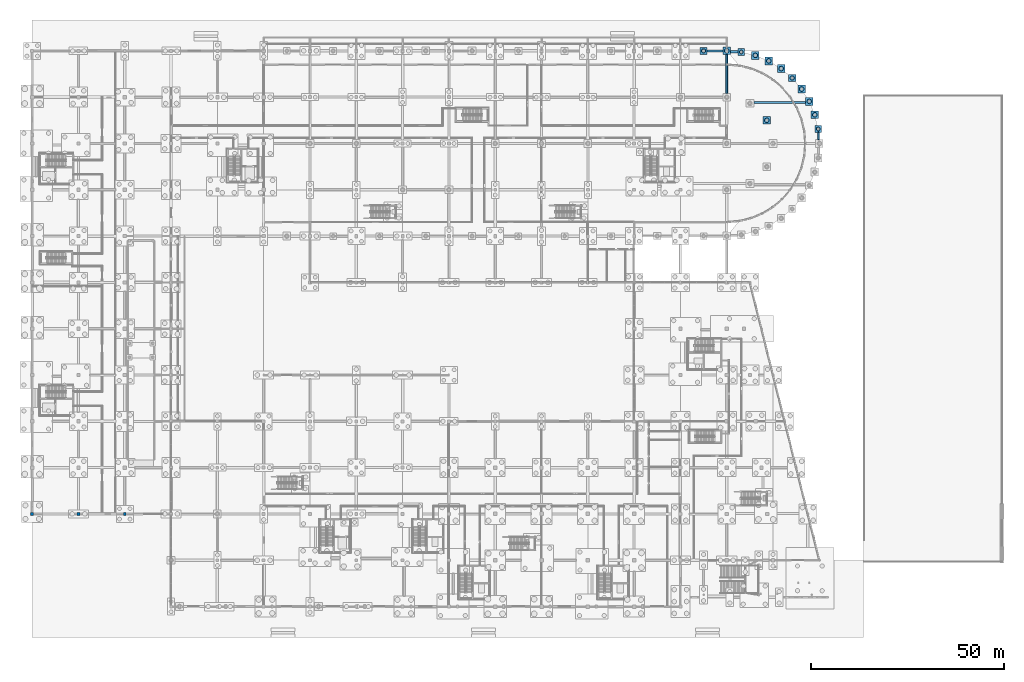
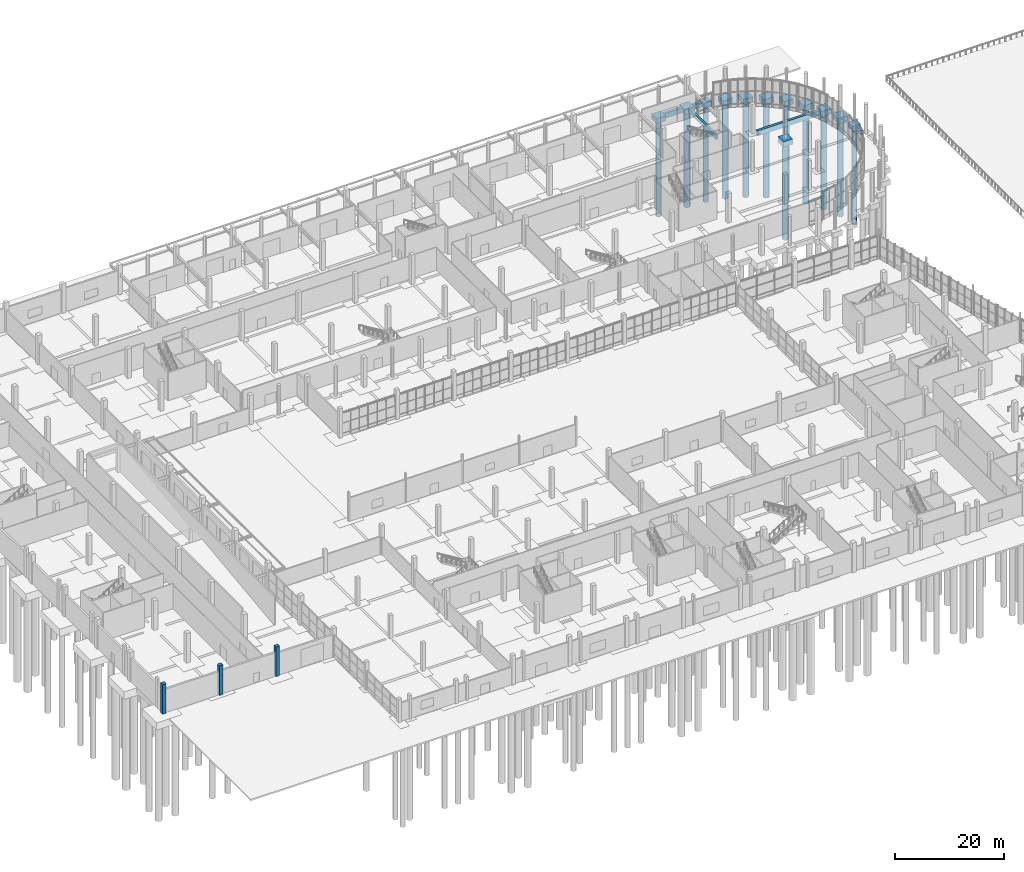
# One storey, part 14 of 117: 17 footings, 12 piles, 3 columns.
"""IFC4 building model written with IfcOpenShell, lengths in metres."""

from ifc_helpers import new_model, si_unit, direction, frame, origin, origin_2d, place, context, subcontext, project, spatial, rectangle, circle, extrude, material, material_profile, profile_set, type_object, element, save


model = new_model("IFC4")

# Units and contexts
model_context = context("Model", 3, precision=1e-05, world=origin(), true_north=direction((0.0, 1.0)))
body_context = subcontext(model_context, "Body", "Model", "MODEL_VIEW")
ifc_project = project(units=[si_unit("LENGTHUNIT", "METRE"), si_unit("AREAUNIT", "SQUARE_METRE"), si_unit("VOLUMEUNIT", "CUBIC_METRE"), si_unit("PLANEANGLEUNIT", "RADIAN"), si_unit("MASSUNIT", "GRAM", prefix="KILO")], contexts=[model_context])

# Site, building, storey
site_placement = place(None, origin())
site = spatial("IfcSite", under=ifc_project, at=site_placement, CompositionType="ELEMENT")
building_placement = place(site_placement, origin())
building = spatial("IfcBuilding", under=site, at=building_placement, Name="Kamomehara Wholesale Market", CompositionType="ELEMENT")
storey_placement = place(building_placement, origin())
storey = spatial("IfcBuildingStorey", under=building, at=storey_placement, Name="L00", CompositionType="ELEMENT", Elevation=0.0)

# Footings
ifc_material_1 = material(Name="Concrete Fc30 (C30/37)", Category="concrete")
footing_type_1 = type_object("IfcFootingType", Name="CAP-1P-1700", PredefinedType="PILE_CAP", material=ifc_material_1)
for number, where, z_axis, x_axis, name in (
    (1, (183.75390625, 155.705078125, -1.10009765625), (0.0, 0.0, 1.0), (1.0, 0.0, 0.0), "Pile cap PC-01"),
    (2, (203.705078125, 135.75390625, -1.10009765625), (0.0, 0.0, 1.0), (1.0, 0.0, 0.0), "Pile cap PC-01"),
):
    element("IfcFooting", number, at=place(storey_placement, frame(where, z_axis=z_axis, x_axis=x_axis)), inside=storey, type_object=footing_type_1, Name=name, PredefinedType="PILE_CAP", context=body_context, shape_type="SweptSolid", body=[
        extrude(rectangle(XDim=1.699951171875, YDim=1.699951171875, at=origin_2d()), origin(), (0.0, 0.0, 1.0), 1.10009765625),
    ])
ifc_material_2 = material(Name="Concrete Fc30 (C30/37)", Category="concrete")
footing_type_2 = type_object("IfcFootingType", Name="CAP-1P-1850", PredefinedType="PILE_CAP", material=ifc_material_2)
for number, where, z_axis, x_axis, name in (
    (3, (174.0, 156.0, -1.14990234375), (0.0, 0.0, 1.0), (1.0, 0.0, 0.0), "Pile cap PC-02"),
    (4, (196.970947265625, 148.970947265625, -1.14990234375), (0.0, 0.0, 1.0), (1.0, 0.0, 0.0), "Pile cap PC-02"),
):
    element("IfcFooting", number, at=place(storey_placement, frame(where, z_axis=z_axis, x_axis=x_axis)), inside=storey, type_object=footing_type_2, Name=name, PredefinedType="PILE_CAP", context=body_context, shape_type="SweptSolid", body=[
        extrude(rectangle(XDim=1.85009765625, YDim=1.85009765625, at=origin_2d()), origin(), (0.0, 0.0, 1.0), 1.14990234375),
    ])
ifc_material_3 = material(Name="Concrete Fc30 (C30/37)", Category="concrete")
footing_type_3 = type_object("IfcFootingType", Name="CAP-1P-2000", PredefinedType="PILE_CAP", material=ifc_material_3)
for number, where, z_axis, x_axis, name in (
    (5, (180.0, 156.0, -1.2001953125), (0.0, 0.0, 1.0), (1.0, 0.0, 0.0), "Pile cap PC-03"),
    (6, (187.416015625, 154.824951171875, -1.2001953125), (0.0, 0.0, 1.0), (1.0, 0.0, 0.0), "Pile cap PC-03"),
    (7, (190.39208984375, 138.0, -1.2001953125), (0.0, 0.0, 1.0), (1.0, 0.0, 0.0), "Pile cap PC-03"),
    (8, (190.89599609375, 153.384033203125, -1.2001953125), (0.0, 0.0, 1.0), (1.0, 0.0, 0.0), "Pile cap PC-03"),
    (9, (194.10693359375, 151.416015625, -1.2001953125), (0.0, 0.0, 1.0), (1.0, 0.0, 0.0), "Pile cap PC-03"),
    (10, (199.416015625, 146.10693359375, -1.2001953125), (0.0, 0.0, 1.0), (1.0, 0.0, 0.0), "Pile cap PC-03"),
    (11, (201.384033203125, 142.89599609375, -1.2001953125), (0.0, 0.0, 1.0), (1.0, 0.0, 0.0), "Pile cap PC-03"),
    (12, (202.824951171875, 139.416015625, -1.2001953125), (0.0, 0.0, 1.0), (1.0, 0.0, 0.0), "Pile cap PC-03"),
):
    element("IfcFooting", number, at=place(storey_placement, frame(where, z_axis=z_axis, x_axis=x_axis)), inside=storey, type_object=footing_type_3, Name=name, PredefinedType="PILE_CAP", context=body_context, shape_type="SweptSolid", body=[
        extrude(rectangle(XDim=2.0, YDim=2.0, at=origin_2d()), origin(), (0.0, 0.0, 1.0), 1.199951171875),
    ])
ifc_material_4 = material(Name="Concrete Fc30 (C30/37)", Category="concrete")
ifc_material_profile_1 = material_profile(ifc_material_4, rectangle(XDim=0.449951171875, YDim=0.89990234375, at=origin_2d()), Name="RC-FTB-450x900")
ifc_profile_set_1 = profile_set([ifc_material_profile_1], Name="Concrete Fc30 (C30/37)")
footing_type_4 = type_object("IfcFootingType", Name="FTB-450x900", PredefinedType="FOOTING_BEAM", material=ifc_profile_set_1)
footing_1_placement = place(storey_placement, frame((180.0, 145.001953125, -0.449951171875), z_axis=(0.0, 1.0, 0.0), x_axis=(-1.0, 0.0, 0.0)))
element("IfcFooting", 13, at=footing_1_placement, inside=storey, type_object=footing_type_4, Name="Foundation tie beam 343", PredefinedType="FOOTING_BEAM", context=body_context, shape_type="SweptSolid", body=[
    extrude(rectangle(XDim=0.449951171875, YDim=0.89990234375, at=origin_2d()), origin(), (0.0, 0.0, 1.0), 9.99609375),
])
ifc_material_5 = material(Name="Concrete Fc30 (C30/37)", Category="concrete")
ifc_material_profile_2 = material_profile(ifc_material_5, rectangle(XDim=0.5, YDim=1.0, at=origin_2d()), Name="RC-FTB-500x1000")
ifc_profile_set_2 = profile_set([ifc_material_profile_2], Name="Concrete Fc30 (C30/37)")
footing_type_5 = type_object("IfcFootingType", Name="FTB-500x1000", PredefinedType="FOOTING_BEAM", material=ifc_profile_set_2)
footing_2_placement = place(storey_placement, frame((203.778076171875, 133.001953125, -0.5), z_axis=(0.0, 1.0, 0.0), x_axis=(-1.0, 0.0, 0.0)))
element("IfcFooting", 14, at=footing_2_placement, inside=storey, type_object=footing_type_5, Name="Foundation tie beam 348", PredefinedType="FOOTING_BEAM", context=body_context, shape_type="SweptSolid", body=[
    extrude(rectangle(XDim=0.5, YDim=1.0, at=origin_2d()), origin(), (0.0, 0.0, 1.0), 1.900146484375),
])
ifc_material_6 = material(Name="Concrete Fc30 (C30/37)", Category="concrete")
ifc_material_profile_3 = material_profile(ifc_material_6, rectangle(XDim=0.550048828125, YDim=1.10009765625, at=origin_2d()), Name="RC-FTB-550x1100")
ifc_profile_set_3 = profile_set([ifc_material_profile_3], Name="Concrete Fc30 (C30/37)")
footing_type_6 = type_object("IfcFootingType", Name="FTB-550x1100", PredefinedType="FOOTING_BEAM", material=ifc_profile_set_3)
footing_3_placement = place(storey_placement, frame((174.927001953125, 156.0, -0.550048828125), z_axis=(1.0, 0.0, 0.0), x_axis=(0.0, 1.0, 0.0)))
element("IfcFooting", 15, at=footing_3_placement, inside=storey, type_object=footing_type_6, Name="Foundation tie beam 185", PredefinedType="FOOTING_BEAM", context=body_context, shape_type="SweptSolid", body=[
    extrude(rectangle(XDim=0.550048828125, YDim=1.10009765625, at=origin_2d()), origin(), (0.0, 0.0, 1.0), 4.071044921875),
])
footing_4_placement = place(storey_placement, frame((181.001953125, 155.778076171875, -0.550048828125), z_axis=(1.0, 0.0, 0.0), x_axis=(0.0, 1.0, 0.0)))
element("IfcFooting", 16, at=footing_4_placement, inside=storey, type_object=footing_type_6, Name="Foundation tie beam 193", PredefinedType="FOOTING_BEAM", context=body_context, shape_type="SweptSolid", body=[
    extrude(rectangle(XDim=0.550048828125, YDim=1.10009765625, at=origin_2d()), origin(), (0.0, 0.0, 1.0), 1.900146484375),
])
footing_5_placement = place(storey_placement, frame((187.001953125, 142.64404296875, -0.550048828125), z_axis=(1.0, 0.0, 0.0), x_axis=(0.0, 1.0, 0.0)))
element("IfcFooting", 17, at=footing_5_placement, inside=storey, type_object=footing_type_6, Name="Foundation tie beam 197", PredefinedType="FOOTING_BEAM", context=body_context, shape_type="SweptSolid", body=[
    extrude(rectangle(XDim=0.550048828125, YDim=1.10009765625, at=origin_2d()), origin(), (0.0, 0.0, 1.0), 13.380126953125),
])

# Piles
ifc_material_7 = material(Name="Concrete Fc30 (C30/37)", Category="concrete")
ifc_material_profile_4 = material_profile(ifc_material_7, circle(Radius=0.5, at=origin_2d()), Name="RC-PILE-D1000")
ifc_profile_set_4 = profile_set([ifc_material_profile_4], Name="Concrete Fc30 (C30/37)")
pile_type_1 = type_object("IfcPileType", Name="PILE-D1000", PredefinedType="BORED", material=ifc_profile_set_4)
for number, where, z_axis, x_axis, name in (
    (18, (183.75390625, 155.705078125, -1.0), (0.0, 0.0, -1.0), (1.0, 0.0, 0.0), "Bored pile 219.625"),
    (19, (203.705078125, 135.75390625, -1.0), (0.0, 0.0, -1.0), (1.0, 0.0, 0.0), "Bored pile 255.698"),
):
    element("IfcPile", number, at=place(storey_placement, frame(where, z_axis=z_axis, x_axis=x_axis)), inside=storey, type_object=pile_type_1, Name=name, PredefinedType="BORED", context=body_context, shape_type="SweptSolid", body=[
        extrude(circle(Radius=0.5, at=origin_2d()), origin(), (0.0, 0.0, 1.0), 21.5),
    ])
ifc_material_8 = material(Name="Concrete Fc30 (C30/37)", Category="concrete")
ifc_material_profile_5 = material_profile(ifc_material_8, circle(Radius=0.550048828125, at=origin_2d()), Name="RC-PILE-D1100")
ifc_profile_set_5 = profile_set([ifc_material_profile_5], Name="Concrete Fc30 (C30/37)")
pile_type_2 = type_object("IfcPileType", Name="PILE-D1100", PredefinedType="BORED", material=ifc_profile_set_5)
for number, where, z_axis, x_axis, name in (
    (20, (174.0, 156.0, -1.050048828125), (0.0, 0.0, -1.0), (1.0, 0.0, 0.0), "Bored pile 205.592"),
    (21, (196.970947265625, 148.970947265625, -1.050048828125), (0.0, 0.0, -1.0), (1.0, 0.0, 0.0), "Bored pile 244.678"),
):
    element("IfcPile", number, at=place(storey_placement, frame(where, z_axis=z_axis, x_axis=x_axis)), inside=storey, type_object=pile_type_2, Name=name, PredefinedType="BORED", context=body_context, shape_type="SweptSolid", body=[
        extrude(circle(Radius=0.550048828125, at=origin_2d()), origin(), (0.0, 0.0, 1.0), 21.449951171875),
    ])
ifc_material_9 = material(Name="Concrete Fc30 (C30/37)", Category="concrete")
ifc_material_profile_6 = material_profile(ifc_material_9, circle(Radius=0.60009765625, at=origin_2d()), Name="RC-PILE-D1200")
ifc_profile_set_6 = profile_set([ifc_material_profile_6], Name="Concrete Fc30 (C30/37)")
pile_type_3 = type_object("IfcPileType", Name="PILE-D1200", PredefinedType="BORED", material=ifc_profile_set_6)
for number, where, z_axis, x_axis, name in (
    (22, (180.0, 156.0, -1.10009765625), (0.0, 0.0, -1.0), (1.0, 0.0, 0.0), "Bored pile 217.623"),
    (23, (187.416015625, 154.824951171875, -1.10009765625), (0.0, 0.0, -1.0), (1.0, 0.0, 0.0), "Bored pile 227.643"),
    (24, (190.39208984375, 138.0, -1.10009765625), (0.0, 0.0, -1.0), (1.0, 0.0, 0.0), "Bored pile 234.661"),
    (25, (190.89599609375, 153.384033203125, -1.10009765625), (0.0, 0.0, -1.0), (1.0, 0.0, 0.0), "Bored pile 236.663"),
    (26, (194.10693359375, 151.416015625, -1.10009765625), (0.0, 0.0, -1.0), (1.0, 0.0, 0.0), "Bored pile 241.672"),
    (27, (199.416015625, 146.10693359375, -1.10009765625), (0.0, 0.0, -1.0), (1.0, 0.0, 0.0), "Bored pile 248.688"),
    (28, (201.384033203125, 142.89599609375, -1.10009765625), (0.0, 0.0, -1.0), (1.0, 0.0, 0.0), "Bored pile 251.694"),
    (29, (202.824951171875, 139.416015625, -1.10009765625), (0.0, 0.0, -1.0), (1.0, 0.0, 0.0), "Bored pile 253.696"),
):
    element("IfcPile", number, at=place(storey_placement, frame(where, z_axis=z_axis, x_axis=x_axis)), inside=storey, type_object=pile_type_3, Name=name, PredefinedType="BORED", context=body_context, shape_type="SweptSolid", body=[
        extrude(circle(Radius=0.60009765625, at=origin_2d()), origin(), (0.0, 0.0, 1.0), 21.39990234375),
    ])

# Columns
ifc_material_10 = material(Name="Precast concrete Fc45 (C40/50)", Category="concrete")
ifc_material_profile_7 = material_profile(ifc_material_10, rectangle(XDim=0.75, YDim=0.75, at=origin_2d()), Name="PC-COL-750x750")
ifc_profile_set_7 = profile_set([ifc_material_profile_7], Name="Precast concrete Fc45 (C40/50)")
column_type = type_object("IfcColumnType", Name="COL-PC750-EXT", PredefinedType="COLUMN", material=ifc_profile_set_7)
for number, where, z_axis, x_axis, name in (
    (30, (0.0, 36.0, 0.0), (0.0, 0.0, 1.0), (1.0, 0.0, 0.0), "Column C-04E L00"),
    (31, (12.0, 36.0, 0.0), (0.0, 0.0, 1.0), (1.0, 0.0, 0.0), "Column C-04E L00"),
    (32, (24.0, 36.0, 0.0), (0.0, 0.0, 1.0), (1.0, 0.0, 0.0), "Column C-04E L00"),
):
    element("IfcColumn", number, at=place(storey_placement, frame(where, z_axis=z_axis, x_axis=x_axis)), inside=storey, type_object=column_type, Name=name, PredefinedType="COLUMN", context=body_context, shape_type="SweptSolid", body=[
        extrude(rectangle(XDim=0.75, YDim=0.75, at=origin_2d()), origin(), (0.0, 0.0, 1.0), 6.60009765625),
    ])

save(model, "model.ifc")
